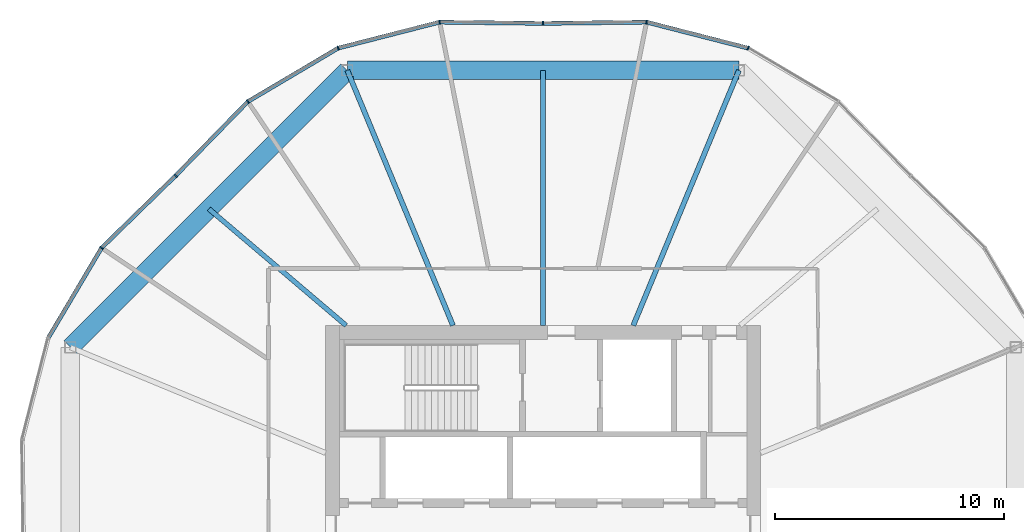
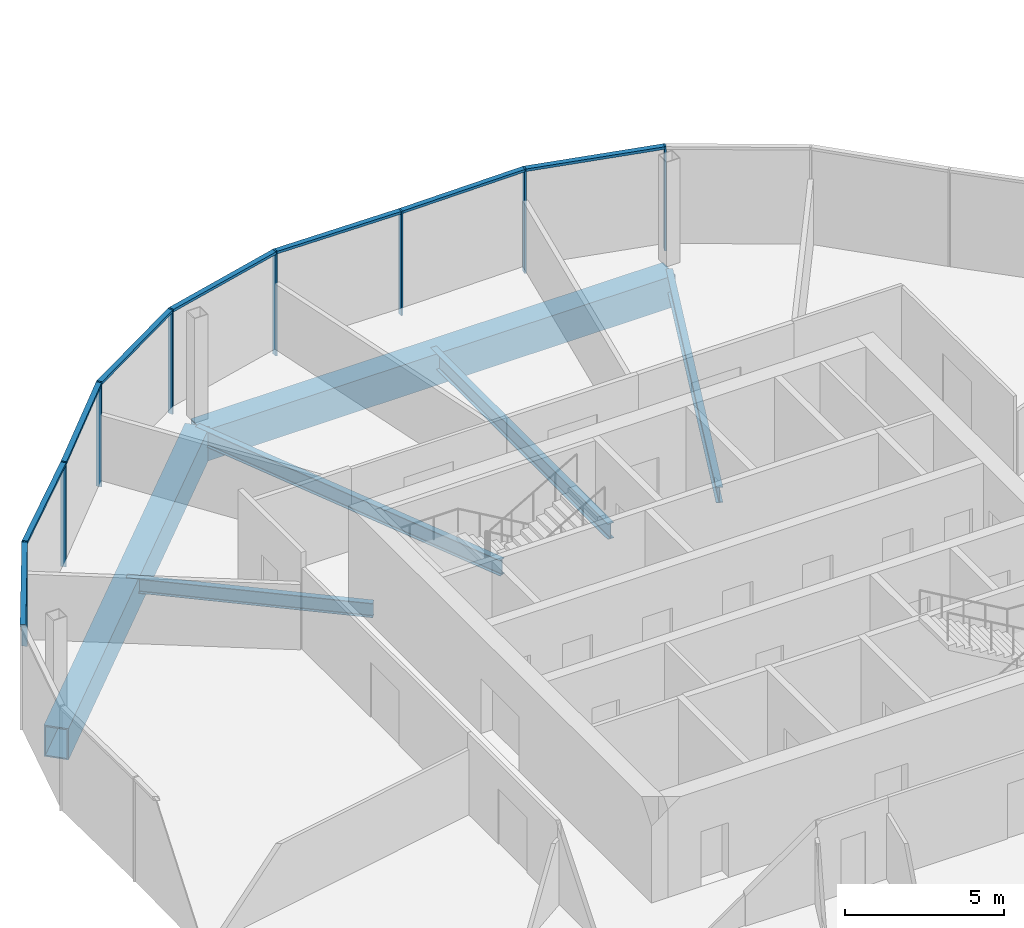
# One storey, part 9 of 25: 16 members, 6 beams, 3 elements without a shape of their own.
"""IFC4 building model written with IfcOpenShell, lengths in metres."""

from ifc_helpers import new_model, si_unit, direction, frame, origin, origin_2d, place, context, subcontext, project, spatial, rectangle, hollow_rectangle, i_section, extrude, material, material_profile, profile_set, type_object, element, aggregate, save


model = new_model("IFC4")

# Units and contexts
model_context = context("Model", 3, precision=1e-05, world=origin(), true_north=direction((0.0, 1.0)))
body_context = subcontext(model_context, "Body", "Model", "MODEL_VIEW")
ifc_project = project(units=[si_unit("LENGTHUNIT", "METRE"), si_unit("AREAUNIT", "SQUARE_METRE"), si_unit("VOLUMEUNIT", "CUBIC_METRE"), si_unit("PLANEANGLEUNIT", "RADIAN"), si_unit("MASSUNIT", "GRAM", prefix="KILO")], contexts=[model_context])

# Site, building, storey
site_placement = place(None, origin())
site = spatial("IfcSite", under=ifc_project, at=site_placement, CompositionType="ELEMENT")
building_placement = place(site_placement, origin())
building = spatial("IfcBuilding", under=site, at=building_placement, Name="Ogive Gate Towers", CompositionType="ELEMENT")
storey_placement = place(building_placement, frame((0.0, 0.0, 144.800048828125)))
storey = spatial("IfcBuildingStorey", under=building, at=storey_placement, Name="L34", CompositionType="ELEMENT", Elevation=144.800048828125)

# Beams
ifc_material_1 = material(Name="Steel SM460", Category="steel")
ifc_material_profile_1 = material_profile(ifc_material_1, hollow_rectangle(XDim=0.800048828125, YDim=1.199951171875, WallThickness=0.050048828125, at=origin_2d()), Name="BX 1200x800x50")
ifc_profile_set_1 = profile_set([ifc_material_profile_1], Name="Steel SM460")
beam_type_1 = type_object("IfcBeamType", Name="Edge girder BX 1200x800x50", PredefinedType="BEAM", material=ifc_profile_set_1)
beam_1_placement = place(storey_placement, frame((-27.450927734375, 20.639404296875, -0.900146484375), z_axis=(-1.0, 0.0, 0.0), x_axis=(0.0, -1.0, 0.0)))
element("IfcBeam", 1, at=beam_1_placement, inside=storey, type_object=beam_type_1, Name="T1/L34/SBM022", PredefinedType="BEAM", context=body_context, shape_type="SweptSolid", body=[
    extrude(hollow_rectangle(XDim=0.800048828125, YDim=1.199951171875, WallThickness=0.050048828125, at=origin_2d()), origin(), (0.0, 0.0, 1.0), 17.09814453125),
])
beam_2_placement = place(storey_placement, frame((-44.549072265625, 20.639404296875, -0.900146484375), z_axis=(-0.707106781187, -0.707106781187, 0.0), x_axis=(0.707106781187, -0.707106781187, 0.0)))
element("IfcBeam", 2, at=beam_2_placement, inside=storey, type_object=beam_type_1, Name="T1/L34/SBM023", PredefinedType="BEAM", context=body_context, shape_type="SweptSolid", body=[
    extrude(hollow_rectangle(XDim=0.800048828125, YDim=1.199951171875, WallThickness=0.050048828125, at=origin_2d()), origin(), (0.0, 0.0, 1.0), 17.098388671875),
])
ifc_material_2 = material(Name="Steel SM355", Category="steel")
ifc_material_profile_2 = material_profile(ifc_material_2, i_section(OverallWidth=0.2099609375, OverallDepth=0.550048828125, WebThickness=0.010986328125, FlangeThickness=0.01708984375, FilletRadius=0.02392578125, at=origin_2d()), Name="IPE 550")
ifc_profile_set_2 = profile_set([ifc_material_profile_2], Name="Steel SM355")
beam_type_2 = type_object("IfcBeamType", Name="Radial floor beam IPE 550", PredefinedType="BEAM", material=ifc_profile_set_2)
beam_3_placement = place(storey_placement, frame((-44.60009765625, 9.5, -0.574951171875), z_axis=(-0.761988324045, 0.647590761222, 0.0), x_axis=(-0.647590761222, -0.761988324045, 0.0)))
element("IfcBeam", 3, at=beam_3_placement, inside=storey, type_object=beam_type_2, Name="T1/L34/SBM014", PredefinedType="BEAM", context=body_context, shape_type="SweptSolid", body=[
    extrude(i_section(OverallWidth=0.2099609375, OverallDepth=0.550048828125, WebThickness=0.010986328125, FlangeThickness=0.01708984375, FilletRadius=0.02392578125, at=origin_2d()), origin(), (0.0, 0.0, 1.0), 7.866455078125),
])
ifc_material_profile_3 = material_profile(ifc_material_2, i_section(OverallWidth=0.219970703125, OverallDepth=0.60009765625, WebThickness=0.011962890625, FlangeThickness=0.01904296875, FilletRadius=0.02392578125, at=origin_2d()), Name="IPE 600")
ifc_profile_set_3 = profile_set([ifc_material_profile_3], Name="Steel SM355")
beam_type_3 = type_object("IfcBeamType", Name="Radial floor beam IPE 600", PredefinedType="BEAM", material=ifc_profile_set_3)
beam_4_placement = place(storey_placement, frame((-32.06494140625, 9.5, -0.60009765625), z_axis=(0.382677863518, 0.923881839184, 0.0), x_axis=(-0.923881839184, 0.382677863518, 0.0)))
element("IfcBeam", 4, at=beam_4_placement, inside=storey, type_object=beam_type_3, Name="T1/L34/SBM011", PredefinedType="BEAM", context=body_context, shape_type="SweptSolid", body=[
    extrude(i_section(OverallWidth=0.219970703125, OverallDepth=0.60009765625, WebThickness=0.011962890625, FlangeThickness=0.01904296875, FilletRadius=0.02392578125, at=origin_2d()), origin(), (0.0, 0.0, 1.0), 12.05712890625),
])
beam_5_placement = place(storey_placement, frame((-36.0, 9.5, -0.60009765625), z_axis=(0.0, 1.0, 0.0), x_axis=(-1.0, 0.0, 0.0)))
element("IfcBeam", 5, at=beam_5_placement, inside=storey, type_object=beam_type_3, Name="T1/L34/SBM012", PredefinedType="BEAM", context=body_context, shape_type="SweptSolid", body=[
    extrude(i_section(OverallWidth=0.219970703125, OverallDepth=0.60009765625, WebThickness=0.011962890625, FlangeThickness=0.01904296875, FilletRadius=0.02392578125, at=origin_2d()), origin(), (0.0, 0.0, 1.0), 11.139404296875),
])
beam_6_placement = place(storey_placement, frame((-39.93505859375, 9.5, -0.60009765625), z_axis=(-0.382677863518, 0.923881839184, 0.0), x_axis=(-0.923881839184, -0.382677863518, 0.0)))
element("IfcBeam", 6, at=beam_6_placement, inside=storey, type_object=beam_type_3, Name="T1/L34/SBM013", PredefinedType="BEAM", context=body_context, shape_type="SweptSolid", body=[
    extrude(i_section(OverallWidth=0.219970703125, OverallDepth=0.60009765625, WebThickness=0.011962890625, FlangeThickness=0.01904296875, FilletRadius=0.02392578125, at=origin_2d()), origin(), (0.0, 0.0, 1.0), 12.05712890625),
])

# Curtain wall, members
ifc_material_3 = material(Name="Pale metal aluminium", Category="aluminium")
curtain_wall_type = type_object("IfcCurtainWallType", Name="Tower unitised wall, high zone", PredefinedType="NOTDEFINED", material=ifc_material_3)
curtain_wall_1_placement = place(storey_placement, origin())
curtain_wall_1 = element("IfcCurtainWall", 7, at=curtain_wall_1_placement, inside=storey, type_object=curtain_wall_type, Name="CW2 T1 ECW02", PredefinedType="NOTDEFINED")
ifc_material_profile_4 = material_profile(ifc_material_3, rectangle(XDim=0.179931640625, YDim=0.06005859375, at=origin_2d()), Name="60 x 180 aluminium box")
ifc_profile_set_4 = profile_set([ifc_material_profile_4], Name="Pale metal aluminium")
member_type_1 = type_object("IfcMemberType", Name="Tower unitised wall, high zone mullion 60 x 180", PredefinedType="MULLION", material=ifc_profile_set_4)
member_1_placement = place(storey_placement, frame((-27.048583984375, 21.610595703125, -0.300048828125), z_axis=(0.0, 0.0, 1.0), x_axis=(0.382683432365, 0.923879532511, 0.0)))
member_1 = element("IfcMember", 8, at=member_1_placement, type_object=member_type_1, Name="CW2 mullion", PredefinedType="MULLION", context=body_context, shape_type="SweptSolid", body=[
    extrude(rectangle(XDim=0.179931640625, YDim=0.06005859375, at=origin_2d()), origin(), (0.0, 0.0, 1.0), 4.0),
])
member_2_placement = place(storey_placement, frame((-31.482666015625, 22.746337890625, -0.300048828125), z_axis=(0.0, 0.0, 1.0), x_axis=(0.118889208638, 0.992907526444, 0.0)))
member_2 = element("IfcMember", 9, at=member_2_placement, type_object=member_type_1, Name="CW2 mullion", PredefinedType="MULLION", context=body_context, shape_type="SweptSolid", body=[
    extrude(rectangle(XDim=0.179931640625, YDim=0.06005859375, at=origin_2d()), origin(), (0.0, 0.0, 1.0), 4.0),
])
member_3_placement = place(storey_placement, frame((-36.0, 22.68994140625, -0.300048828125), z_axis=(0.0, 0.0, 1.0), x_axis=(-0.012461328328, 0.999922354634, 0.0)))
member_3 = element("IfcMember", 10, at=member_3_placement, type_object=member_type_1, Name="CW2 mullion", PredefinedType="MULLION", context=body_context, shape_type="SweptSolid", body=[
    extrude(rectangle(XDim=0.179931640625, YDim=0.06005859375, at=origin_2d()), origin(), (0.0, 0.0, 1.0), 4.0),
])

curtain_wall_2_placement = place(storey_placement, origin())
curtain_wall_2 = element("IfcCurtainWall", 11, at=curtain_wall_2_placement, inside=storey, type_object=curtain_wall_type, Name="CW2 T1 ECW03", PredefinedType="NOTDEFINED")
member_4_placement = place(storey_placement, frame((-40.517333984375, 22.746337890625, -0.300048828125), z_axis=(0.0, 0.0, 1.0), x_axis=(-0.118889208638, 0.992907526444, 0.0)))
member_4 = element("IfcMember", 12, at=member_4_placement, type_object=member_type_1, Name="CW2 mullion", PredefinedType="MULLION", context=body_context, shape_type="SweptSolid", body=[
    extrude(rectangle(XDim=0.179931640625, YDim=0.06005859375, at=origin_2d()), origin(), (0.0, 0.0, 1.0), 4.0),
])
member_5_placement = place(storey_placement, frame((-44.951416015625, 21.610595703125, -0.300048828125), z_axis=(0.0, 0.0, 1.0), x_axis=(-0.382683432365, 0.923879532511, 0.0)))
member_5 = element("IfcMember", 13, at=member_5_placement, type_object=member_type_1, Name="CW2 mullion", PredefinedType="MULLION", context=body_context, shape_type="SweptSolid", body=[
    extrude(rectangle(XDim=0.179931640625, YDim=0.06005859375, at=origin_2d()), origin(), (0.0, 0.0, 1.0), 4.0),
])
member_6_placement = place(storey_placement, frame((-48.889892578125, 19.2783203125, -0.300048828125), z_axis=(0.0, 0.0, 1.0), x_axis=(-0.618038000371, 0.786148223999, 0.0)))
member_6 = element("IfcMember", 14, at=member_6_placement, type_object=member_type_1, Name="CW2 mullion", PredefinedType="MULLION", context=body_context, shape_type="SweptSolid", body=[
    extrude(rectangle(XDim=0.179931640625, YDim=0.06005859375, at=origin_2d()), origin(), (0.0, 0.0, 1.0), 4.0),
])
member_7_placement = place(storey_placement, frame((-52.044189453125, 16.044189453125, -0.300048828125), z_axis=(0.0, 0.0, 1.0), x_axis=(-0.715863367385, 0.698240387858, 0.0)))
member_7 = element("IfcMember", 15, at=member_7_placement, type_object=member_type_1, Name="CW2 mullion", PredefinedType="MULLION", context=body_context, shape_type="SweptSolid", body=[
    extrude(rectangle(XDim=0.179931640625, YDim=0.06005859375, at=origin_2d()), origin(), (0.0, 0.0, 1.0), 4.0),
])

# Curtain wall, member
curtain_wall_3_placement = place(storey_placement, origin())
curtain_wall_3 = element("IfcCurtainWall", 16, at=curtain_wall_3_placement, inside=storey, type_object=curtain_wall_type, Name="CW2 T1 ECW04", PredefinedType="NOTDEFINED")
member_8_placement = place(storey_placement, frame((-55.2783203125, 12.889892578125, -0.300048828125), z_axis=(0.0, 0.0, 1.0), x_axis=(-0.786148223999, 0.618038000371, 0.0)))
member_8 = element("IfcMember", 17, at=member_8_placement, type_object=member_type_1, Name="CW2 mullion", PredefinedType="MULLION", context=body_context, shape_type="SweptSolid", body=[
    extrude(rectangle(XDim=0.179931640625, YDim=0.06005859375, at=origin_2d()), origin(), (0.0, 0.0, 1.0), 4.0),
])

# Member
ifc_material_profile_5 = material_profile(ifc_material_3, rectangle(XDim=0.179931640625, YDim=0.10009765625, at=origin_2d()), Name="100 x 180 aluminium box")
ifc_profile_set_5 = profile_set([ifc_material_profile_5], Name="Pale metal aluminium")
member_type_2 = type_object("IfcMemberType", Name="Tower unitised wall, high zone transom 100 x 180", PredefinedType="USERDEFINED", material=ifc_profile_set_5)
member_9_placement = place(storey_placement, frame((-27.076416015625, 21.617431640625, 3.64990234375), z_axis=(-0.968708835066, 0.248199905048, 0.0), x_axis=(-0.248199905048, -0.968708835066, 0.0)))
member_9 = element("IfcMember", 18, at=member_9_placement, type_object=member_type_2, Name="CW2 transom", ObjectType="TRANSOM", PredefinedType="USERDEFINED", context=body_context, shape_type="SweptSolid", body=[
    extrude(rectangle(XDim=0.179931640625, YDim=0.10009765625, at=origin_2d()), origin(), (0.0, 0.0, 1.0), 4.519775390625),
])

member_10_placement = place(storey_placement, frame((-31.51123046875, 22.745849609375, 3.64990234375), z_axis=(-0.999922762686, -0.012428542251, 0.0), x_axis=(0.012428542251, -0.999922762686, 0.0)))
member_10 = element("IfcMember", 19, at=member_10_placement, type_object=member_type_2, Name="CW2 transom", ObjectType="TRANSOM", PredefinedType="USERDEFINED", context=body_context, shape_type="SweptSolid", body=[
    extrude(rectangle(XDim=0.179931640625, YDim=0.10009765625, at=origin_2d()), origin(), (0.0, 0.0, 1.0), 4.458984375),
])

aggregate(curtain_wall_1, [member_1, member_2, member_9, member_3, member_10])

member_11_placement = place(storey_placement, frame((-36.030029296875, 22.6904296875, 3.64990234375), z_axis=(-0.999922762686, 0.012428542251, 0.0), x_axis=(-0.012428542251, -0.999922762686, 0.0)))
member_11 = element("IfcMember", 20, at=member_11_placement, type_object=member_type_2, Name="CW2 transom", ObjectType="TRANSOM", PredefinedType="USERDEFINED", context=body_context, shape_type="SweptSolid", body=[
    extrude(rectangle(XDim=0.179931640625, YDim=0.10009765625, at=origin_2d()), origin(), (0.0, 0.0, 1.0), 4.458984375),
])

member_12_placement = place(storey_placement, frame((-40.545166015625, 22.7392578125, 3.64990234375), z_axis=(-0.968708835066, -0.248199905048, 0.0), x_axis=(0.248199905048, -0.968708835066, 0.0)))
member_12 = element("IfcMember", 21, at=member_12_placement, type_object=member_type_2, Name="CW2 transom", ObjectType="TRANSOM", PredefinedType="USERDEFINED", context=body_context, shape_type="SweptSolid", body=[
    extrude(rectangle(XDim=0.179931640625, YDim=0.10009765625, at=origin_2d()), origin(), (0.0, 0.0, 1.0), 4.519775390625),
])

member_13_placement = place(storey_placement, frame((-44.975830078125, 21.595703125, 3.64990234375), z_axis=(-0.860480997661, -0.509482534209, 0.0), x_axis=(0.509482534209, -0.860480997661, 0.0)))
member_13 = element("IfcMember", 22, at=member_13_placement, type_object=member_type_2, Name="CW2 transom", ObjectType="TRANSOM", PredefinedType="USERDEFINED", context=body_context, shape_type="SweptSolid", body=[
    extrude(rectangle(XDim=0.179931640625, YDim=0.10009765625, at=origin_2d()), origin(), (0.0, 0.0, 1.0), 4.519775390625),
])

member_14_placement = place(storey_placement, frame((-48.909912109375, 19.2578125, 3.64990234375), z_axis=(-0.698236265486, -0.71586738825, 0.0), x_axis=(0.71586738825, -0.698236265486, 0.0)))
member_14 = element("IfcMember", 23, at=member_14_placement, type_object=member_type_2, Name="CW2 transom", ObjectType="TRANSOM", PredefinedType="USERDEFINED", context=body_context, shape_type="SweptSolid", body=[
    extrude(rectangle(XDim=0.179931640625, YDim=0.10009765625, at=origin_2d()), origin(), (0.0, 0.0, 1.0), 4.458740234375),
])

aggregate(curtain_wall_2, [member_4, member_11, member_5, member_12, member_6, member_13, member_7, member_14])

member_15_placement = place(storey_placement, frame((-52.06591796875, 16.023193359375, 3.64990234375), z_axis=(-0.71586738825, -0.698236265486, 0.0), x_axis=(0.698236265486, -0.71586738825, 0.0)))
member_15 = element("IfcMember", 24, at=member_15_placement, type_object=member_type_2, Name="CW2 transom", ObjectType="TRANSOM", PredefinedType="USERDEFINED", context=body_context, shape_type="SweptSolid", body=[
    extrude(rectangle(XDim=0.179931640625, YDim=0.10009765625, at=origin_2d()), origin(), (0.0, 0.0, 1.0), 4.458740234375),
])

member_16_placement = place(storey_placement, frame((-55.29296875, 12.864990234375, 3.64990234375), z_axis=(-0.509482534209, -0.860480997661, 0.0), x_axis=(0.860480997661, -0.509482534209, 0.0)))
member_16 = element("IfcMember", 25, at=member_16_placement, type_object=member_type_2, Name="CW2 transom", ObjectType="TRANSOM", PredefinedType="USERDEFINED", context=body_context, shape_type="SweptSolid", body=[
    extrude(rectangle(XDim=0.179931640625, YDim=0.10009765625, at=origin_2d()), origin(), (0.0, 0.0, 1.0), 4.519775390625),
])

aggregate(curtain_wall_3, [member_8, member_15, member_16])

save(model, "model.ifc")
